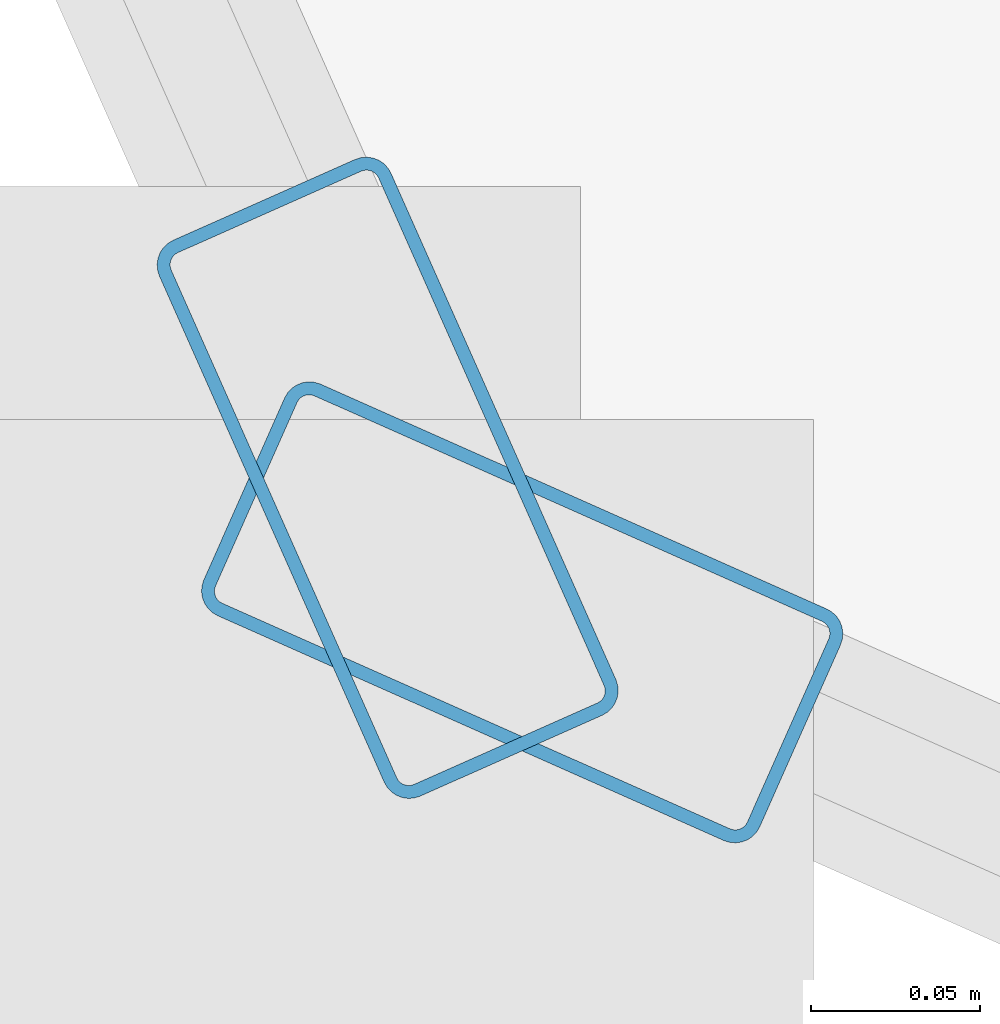
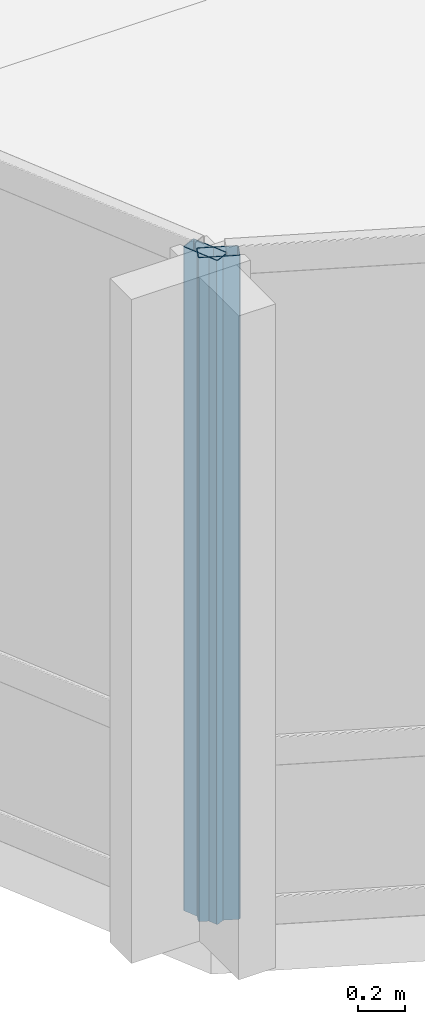
# One storey, part 2 of 34: 2 members, 2 elements without a shape of their own.
"""IFC4 building model written with IfcOpenShell, lengths in metres."""

import ifcopenshell
import ifcopenshell.guid

model = None  # the IFC model being written
_history = None  # IfcOwnerHistory: only IFC2X3 demands one
_inside = {}  # id of a spatial element -> (the spatial element, [elements in it])
_under = {}  # id of a project, library or spatial element -> (it, [spatial elements below it])
_declared = {}  # id of a project -> (the project, [libraries it declares])
_typed = {}  # id of a type object -> (the type object, [elements of that type])
_made_of = {}  # id of a material, layer set ... -> (it, [elements and type objects made of it])


def new_model(schema):
    """Start an empty IFC model of exactly this schema.

    Asked for "IFC4X3", IfcOpenShell would pick the latest addendum, in which some entities
    have other attributes; the version numbers below select the first issue.
    IFC2X3 requires an IfcOwnerHistory on every rooted entity: one is made here for all.
    """
    global model, _history
    if schema == "IFC4X3":
        model = ifcopenshell.file(schema_version=(4, 3, 0, 0))
    else:
        model = ifcopenshell.file(schema=schema)
    _inside.clear()
    _under.clear()
    _declared.clear()
    _typed.clear()
    _made_of.clear()
    _history = None
    if model.schema == "IFC2X3":
        org = make("IfcOrganization", Name="unknown")
        user = make(
            "IfcPersonAndOrganization",
            ThePerson=make("IfcPerson", FamilyName="unknown"),
            TheOrganization=org,
        )
        app = make(
            "IfcApplication",
            ApplicationDeveloper=org,
            Version="unknown",
            ApplicationFullName="unknown",
            ApplicationIdentifier="unknown",
        )
        _history = make(
            "IfcOwnerHistory",
            OwningUser=user,
            OwningApplication=app,
            ChangeAction="ADDED",
            CreationDate=0,
        )
    return model


def make(cls, **values):
    """One entity of the class cls with the attributes given. An attribute that is None is left unset."""
    return model.create_entity(
        cls, **{name: value for name, value in values.items() if value is not None}
    )


def rooted(cls, **values):
    """An entity with a GlobalId (a new one), such as an element, a storey or a relation."""
    return make(cls, GlobalId=ifcopenshell.guid.new(), OwnerHistory=_history, **values)


def si_unit(unit_type, name, prefix=None):
    """IfcSIUnit, for example si_unit("LENGTHUNIT", "METRE", prefix="MILLI")."""
    return make("IfcSIUnit", UnitType=unit_type, Prefix=prefix, Name=name)


def assignment(units):
    """IfcUnitAssignment: the units of a project."""
    return None if units is None else make("IfcUnitAssignment", Units=units)


def point(xyz):
    """IfcCartesianPoint."""
    return None if xyz is None else make("IfcCartesianPoint", Coordinates=xyz)


def direction(xyz):
    """IfcDirection."""
    return None if xyz is None else make("IfcDirection", DirectionRatios=xyz)


def frame(location, z_axis=None, x_axis=None):
    """IfcAxis2Placement3D, a coordinate frame: its origin and axes. An axis left out is left unset."""
    return make(
        "IfcAxis2Placement3D",
        Location=point(location),
        Axis=direction(z_axis),
        RefDirection=direction(x_axis),
    )


def frame_2d(location, x_axis=None):
    """IfcAxis2Placement2D, a coordinate frame in the plane: its origin and x axis."""
    return make(
        "IfcAxis2Placement2D", Location=point(location), RefDirection=direction(x_axis)
    )


def origin():
    """The frame at (0, 0, 0) with its axes left unset."""
    return frame((0.0, 0.0, 0.0))


def origin_2d():
    """The frame at (0, 0) in the plane with its x axis left unset."""
    return frame_2d((0.0, 0.0))


def place(relative_to, where):
    """IfcLocalPlacement: puts the frame where relative to a parent placement (None: the world)."""
    return make(
        "IfcLocalPlacement", PlacementRelTo=relative_to, RelativePlacement=where
    )


def context(
    kind, dimensions, precision=None, world=None, true_north=None, identifier=None
):
    """IfcGeometricRepresentationContext, for example the 3D "Model" context."""
    return make(
        "IfcGeometricRepresentationContext",
        ContextIdentifier=identifier,
        ContextType=kind,
        CoordinateSpaceDimension=dimensions,
        Precision=precision,
        WorldCoordinateSystem=world,
        TrueNorth=true_north,
    )


def subcontext(parent, identifier, kind, view, scale=None):
    """IfcGeometricRepresentationSubContext, for example "Body" below "Model"."""
    return make(
        "IfcGeometricRepresentationSubContext",
        ContextIdentifier=identifier,
        ContextType=kind,
        ParentContext=parent,
        TargetScale=scale,
        TargetView=view,
    )


def project(units=None, contexts=None):
    """IfcProject with its units and contexts."""
    return rooted(
        "IfcProject",
        Name="project",
        RepresentationContexts=contexts,
        UnitsInContext=assignment(units),
    )


def spatial(cls, under=None, at=None, **own):
    """A site, building, storey or space (cls), placed at a placement, below another one or the project."""
    s = rooted(cls, ObjectPlacement=at, **own)
    if under is not None:
        _under.setdefault(under.id(), (under, []))[1].append(s)
    return s


def profile(cls, at=None, kind="AREA", **sizes):
    """A parametric profile (cls). Its sizes go by their IFC names, for example OverallWidth=200.0."""
    return make(cls, ProfileType=kind, Position=at, **sizes)


def hollow_rectangle(**sizes):
    """IfcRectangleHollowProfileDef."""
    return profile("IfcRectangleHollowProfileDef", **sizes)


def extrude(swept, where, along, depth):
    """IfcExtrudedAreaSolid: the profile swept, set in the frame where, extruded along a direction by depth."""
    return make(
        "IfcExtrudedAreaSolid",
        SweptArea=swept,
        Position=where,
        ExtrudedDirection=direction(along),
        Depth=depth,
    )


def shape(context_of_items, identifier, shape_type, items):
    """IfcShapeRepresentation: the items that make up one representation, for example the "Body"."""
    return make(
        "IfcShapeRepresentation",
        ContextOfItems=context_of_items,
        RepresentationIdentifier=identifier,
        RepresentationType=shape_type,
        Items=items,
    )


def material(Name=None, Category=None):
    """IfcMaterial."""
    return make("IfcMaterial", Name=Name, Category=Category)


def layer(
    of_material, thickness, ventilated=None, Name=None, Category=None, Priority=None
):
    """IfcMaterialLayer: one layer of a wall or slab, of a material (None: an air gap)."""
    return make(
        "IfcMaterialLayer",
        Material=of_material,
        LayerThickness=thickness,
        IsVentilated=ventilated,
        Name=Name,
        Category=Category,
        Priority=Priority,
    )


def layer_set(layers, Name=None):
    """IfcMaterialLayerSet."""
    return make("IfcMaterialLayerSet", MaterialLayers=layers, LayerSetName=Name)


def material_profile(
    of_material, cross_section, Name=None, Category=None, Priority=None
):
    """IfcMaterialProfile: a cross section and its material."""
    return make(
        "IfcMaterialProfile",
        Name=Name,
        Material=of_material,
        Profile=cross_section,
        Priority=Priority,
        Category=Category,
    )


def profile_set(profiles, Name=None, composite=None):
    """IfcMaterialProfileSet."""
    return make(
        "IfcMaterialProfileSet",
        Name=Name,
        MaterialProfiles=profiles,
        CompositeProfile=composite,
    )


def made_of(thing, what):
    """Note that an element or type object is made of a material, layer set ...; save() writes the relation."""
    if what is not None:
        _made_of.setdefault(what.id(), (what, []))[1].append(thing)
    return thing


def type_object(cls, material=None, **own):
    """A type object (cls), such as IfcWallType, which elements share."""
    return made_of(rooted(cls, **own), material)


def element(
    cls,
    number,
    at=None,
    inside=None,
    cuts=None,
    type_object=None,
    material=None,
    context=None,
    identifier="Body",
    shape_type=None,
    held_by="IfcProductDefinitionShape",
    body=None,
    shapes=None,
    **own,
):
    """One element of the class cls, such as IfcWall. Its Tag is "e" and its number.

    at: its placement. inside: the storey or other place that contains it. cuts: it is an
    opening in that element (IfcRelVoidsElement). A single representation is given by context,
    identifier, shape_type and body (its items); several are given by shapes. held_by: the class
    of the entity that holds the representations. save() writes the other relations.
    """
    e = rooted(cls, Tag="e%d" % number, ObjectPlacement=at, **own)
    if body is not None:
        shapes = [shape(context, identifier, shape_type, body)]
    if shapes is not None:
        e.Representation = make(held_by, Representations=shapes)
    if inside is not None:
        _inside.setdefault(inside.id(), (inside, []))[1].append(e)
    if cuts is not None:
        rooted(
            "IfcRelVoidsElement", RelatingBuildingElement=cuts, RelatedOpeningElement=e
        )
    if type_object is not None:
        _typed.setdefault(type_object.id(), (type_object, []))[1].append(e)
    return made_of(e, material)


def aggregate(whole, parts):
    """IfcRelAggregates: a whole, such as a stair, and the parts it consists of."""
    return rooted("IfcRelAggregates", RelatingObject=whole, RelatedObjects=parts)


def save(model, path):
    """Write the relations noted so far, then the file.

    IfcRelAggregates (storeys below a building ...), IfcRelContainedInSpatialStructure (elements
    in a storey), IfcRelDefinesByType, IfcRelAssociatesMaterial and IfcRelDeclares: one each for
    every whole, place, type object, material and project.
    """
    for whole, parts in _under.values():
        aggregate(whole, parts)
    for where, things in _inside.values():
        rooted(
            "IfcRelContainedInSpatialStructure",
            RelatedElements=things,
            RelatingStructure=where,
        )
    for kind, things in _typed.values():
        rooted("IfcRelDefinesByType", RelatedObjects=things, RelatingType=kind)
    for what, things in _made_of.values():
        rooted("IfcRelAssociatesMaterial", RelatedObjects=things, RelatingMaterial=what)
    for by, libraries in _declared.values():
        rooted("IfcRelDeclares", RelatingContext=by, RelatedDefinitions=libraries)
    model.write(path)


model = new_model("IFC4")

# Units and contexts
model_context = context("Model", 3, precision=1e-05, world=origin(), true_north=direction((0.0, 1.0)))
body_context = subcontext(model_context, "Body", "Model", "MODEL_VIEW")
ifc_project = project(units=[si_unit("LENGTHUNIT", "METRE"), si_unit("AREAUNIT", "SQUARE_METRE"), si_unit("VOLUMEUNIT", "CUBIC_METRE"), si_unit("PLANEANGLEUNIT", "RADIAN"), si_unit("MASSUNIT", "GRAM", prefix="KILO")], contexts=[model_context])

# Site, building, storey
site_placement = place(None, origin())
site = spatial("IfcSite", under=ifc_project, at=site_placement, CompositionType="ELEMENT")
building_placement = place(site_placement, origin())
building = spatial("IfcBuilding", under=site, at=building_placement, Name="Solvaryn Broadcast Tower", CompositionType="ELEMENT")
storey_placement = place(building_placement, frame((0.0, 0.0, 89.10009765625)))
storey = spatial("IfcBuildingStorey", under=building, at=storey_placement, Name="L21", CompositionType="ELEMENT", Elevation=89.10009765625)

# Curtain wall, member
ifc_material_1 = material(Name="Aluminium and Terracotta Unitised Curtain Wall", Category="masonry")
ifc_layer = layer(ifc_material_1, 0.199951171875)
ifc_layer_set = layer_set([ifc_layer], Name="CW-SYS2-LOWMID")
curtain_wall_type = type_object("IfcCurtainWallType", Name="CW-SYS2-LOWMID", PredefinedType="NOTDEFINED", material=ifc_layer_set)
curtain_wall_1_placement = place(storey_placement, origin())
curtain_wall_1 = element("IfcCurtainWall", 1, at=curtain_wall_1_placement, inside=storey, type_object=curtain_wall_type, Name="L21 Curtain Wall DR2", PredefinedType="NOTDEFINED")
ifc_material_2 = material(Name="Anodised Aluminium 6063-T6", Category="aluminium")
ifc_material_profile = material_profile(ifc_material_2, hollow_rectangle(XDim=0.074951171875, YDim=0.179931640625, WallThickness=0.00390625, InnerFilletRadius=0.00390625, OuterFilletRadius=0.008056640625, at=origin_2d()))
ifc_profile_set = profile_set([ifc_material_profile], Name="Anodised Aluminium 6063-T6")
member_type = type_object("IfcMemberType", Name="CW-MUL-180", PredefinedType="MULLION", material=ifc_profile_set)
member_1_placement = place(storey_placement, frame((7.834716796875, 7.87451171875, 0.0), z_axis=(0.0, 0.0, 1.0), x_axis=(0.913918257271, 0.405898286554, 0.0)))
member_1 = element("IfcMember", 2, at=member_1_placement, type_object=member_type, Name="CWS2 mullion 2", PredefinedType="MULLION", context=body_context, shape_type="SweptSolid", body=[
    extrude(hollow_rectangle(XDim=0.074951171875, YDim=0.179931640625, WallThickness=0.00390625, InnerFilletRadius=0.00390625, OuterFilletRadius=0.008056640625, at=origin_2d()), origin(), (0.0, 0.0, 1.0), 3.419921875),
])
aggregate(curtain_wall_1, [member_1])

curtain_wall_2_placement = place(storey_placement, origin())
curtain_wall_2 = element("IfcCurtainWall", 3, at=curtain_wall_2_placement, inside=storey, type_object=curtain_wall_type, Name="L21 Curtain Wall DR3", PredefinedType="NOTDEFINED")
member_2_placement = place(storey_placement, frame((7.87451171875, 7.834716796875, 0.0), z_axis=(0.0, 0.0, 1.0), x_axis=(0.405898286554, 0.913918257271, 0.0)))
member_2 = element("IfcMember", 4, at=member_2_placement, type_object=member_type, Name="CWS2 mullion 1", PredefinedType="MULLION", context=body_context, shape_type="SweptSolid", body=[
    extrude(hollow_rectangle(XDim=0.074951171875, YDim=0.179931640625, WallThickness=0.00390625, InnerFilletRadius=0.00390625, OuterFilletRadius=0.008056640625, at=origin_2d()), origin(), (0.0, 0.0, 1.0), 3.419921875),
])
aggregate(curtain_wall_2, [member_2])

save(model, "model.ifc")
